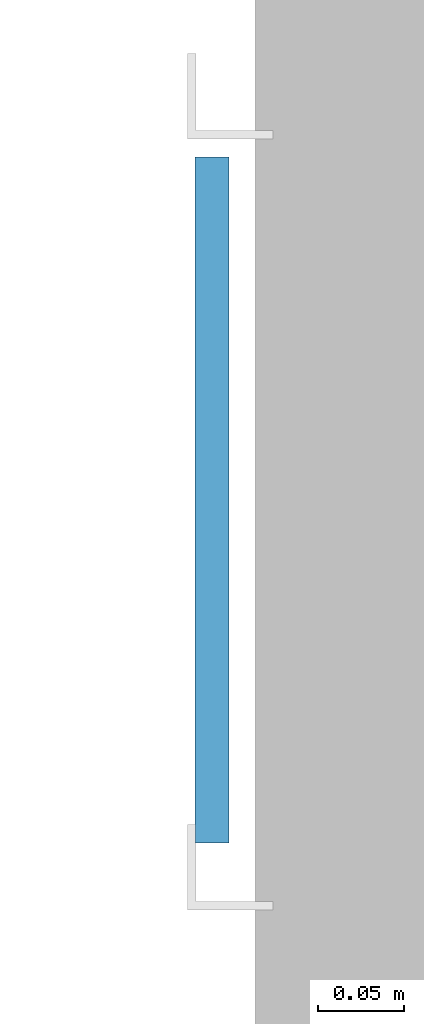
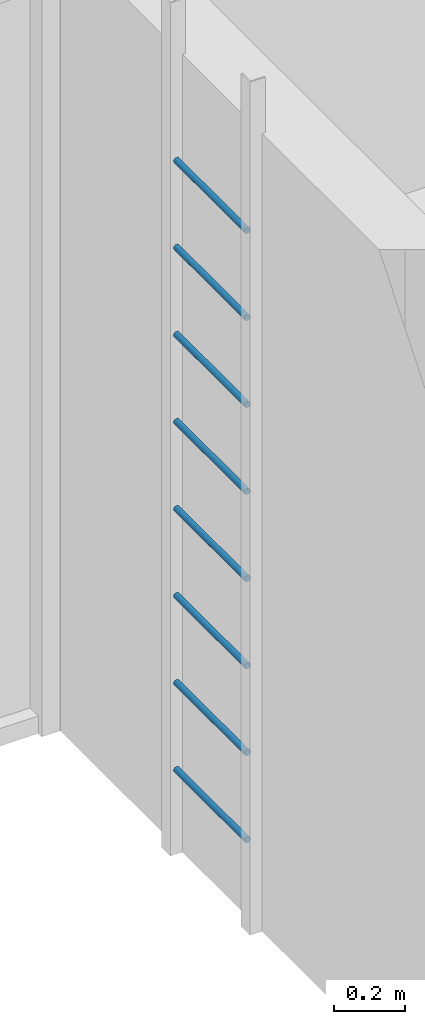
# One storey, part 25 of 78: 8 members.
"""IFC4 building model written with IfcOpenShell, lengths in metres."""

from ifc_helpers import new_model, si_unit, direction, frame, origin, origin_2d, place, context, subcontext, project, spatial, circle, extrude, material, material_profile, profile_set, type_object, element, save


model = new_model("IFC4")

# Units and contexts
model_context = context("Model", 3, precision=1e-05, world=origin(), true_north=direction((0.0, 1.0)))
body_context = subcontext(model_context, "Body", "Model", "MODEL_VIEW")
ifc_project = project(units=[si_unit("LENGTHUNIT", "METRE"), si_unit("AREAUNIT", "SQUARE_METRE"), si_unit("VOLUMEUNIT", "CUBIC_METRE"), si_unit("PLANEANGLEUNIT", "RADIAN"), si_unit("MASSUNIT", "GRAM", prefix="KILO")], contexts=[model_context])

# Site, building, storey
site_placement = place(None, origin())
site = spatial("IfcSite", under=ifc_project, at=site_placement, CompositionType="ELEMENT")
building_placement = place(site_placement, origin())
building = spatial("IfcBuilding", under=site, at=building_placement, Name="Ridgestep Commons", CompositionType="ELEMENT")
storey_placement = place(building_placement, frame((0.0, 0.0, 30.0)))
storey = spatial("IfcBuildingStorey", under=building, at=storey_placement, Name="L10", CompositionType="ELEMENT", Elevation=30.0)

# Members
ifc_material = material(Name="Structural steel S355JR", Category="steel")
ifc_material_profile = material_profile(ifc_material, circle(Radius=0.010009765625, at=origin_2d()), Name="Round bar 20")
ifc_profile_set = profile_set([ifc_material_profile], Name="Structural steel S355JR")
member_type = type_object("IfcMemberType", Name="Core ladder rung 20", PredefinedType="STRINGER", material=ifc_profile_set)
for number, where, z_axis, x_axis, name in (
    (1, (160.60009765625, 75.89990234375, 0.300048828125), (0.0, 1.0, 0.0), (-1.0, 0.0, 0.0), "Ladder rung C1C.1"),
    (2, (160.60009765625, 75.89990234375, 0.60009765625), (0.0, 1.0, 0.0), (-1.0, 0.0, 0.0), "Ladder rung C1C.2"),
    (3, (160.60009765625, 75.89990234375, 0.89990234375), (0.0, 1.0, 0.0), (-1.0, 0.0, 0.0), "Ladder rung C1C.3"),
    (4, (160.60009765625, 75.89990234375, 1.199951171875), (0.0, 1.0, 0.0), (-1.0, 0.0, 0.0), "Ladder rung C1C.4"),
    (5, (160.60009765625, 75.89990234375, 1.5), (0.0, 1.0, 0.0), (-1.0, 0.0, 0.0), "Ladder rung C1C.5"),
    (6, (160.60009765625, 75.89990234375, 1.800048828125), (0.0, 1.0, 0.0), (-1.0, 0.0, 0.0), "Ladder rung C1C.6"),
    (7, (160.60009765625, 75.89990234375, 2.10009765625), (0.0, 1.0, 0.0), (-1.0, 0.0, 0.0), "Ladder rung C1C.7"),
    (8, (160.60009765625, 75.89990234375, 2.39990234375), (0.0, 1.0, 0.0), (-1.0, 0.0, 0.0), "Ladder rung C1C.8"),
):
    element("IfcMember", number, at=place(storey_placement, frame(where, z_axis=z_axis, x_axis=x_axis)), inside=storey, type_object=member_type, Name=name, PredefinedType="STRINGER", context=body_context, shape_type="SweptSolid", body=[
        extrude(circle(Radius=0.010009765625, at=origin_2d()), origin(), (0.0, 0.0, 1.0), 0.400146484375),
    ])

save(model, "model.ifc")
